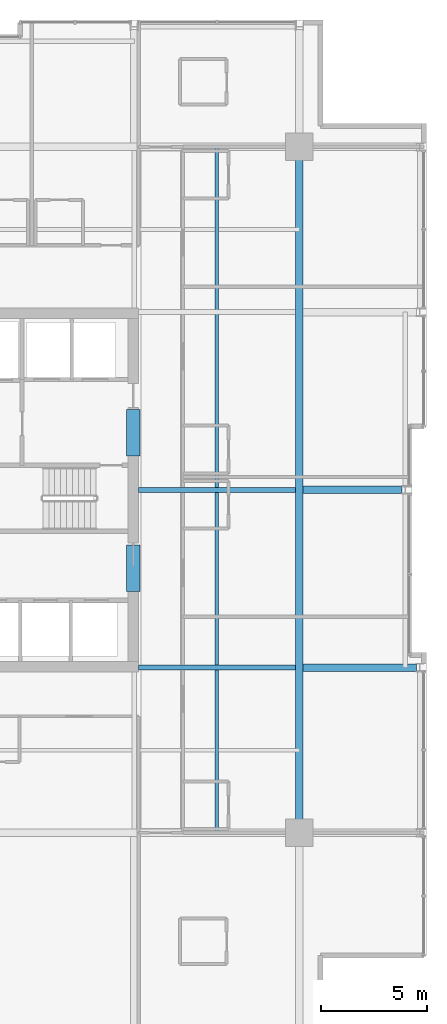
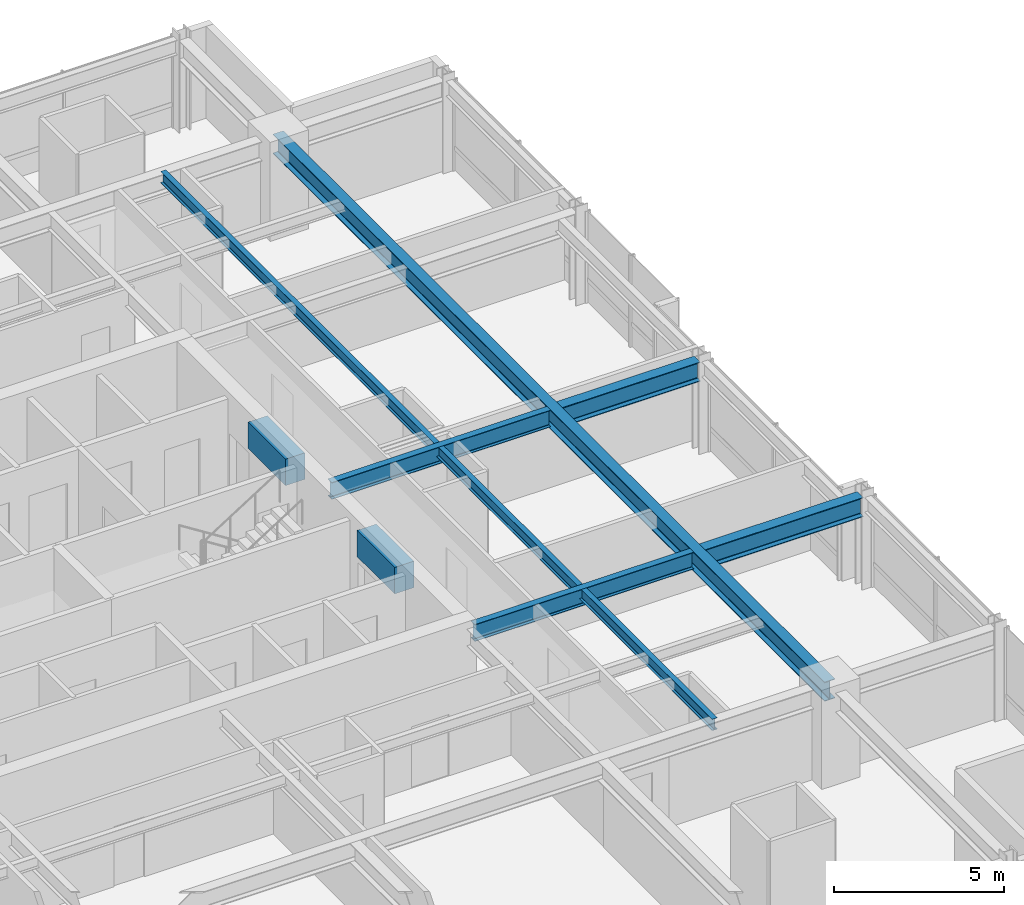
# One storey, part 14 of 32: 8 beams.
"""IFC4 building model written with IfcOpenShell, lengths in metres."""

import ifcopenshell
import ifcopenshell.guid

model = None  # the IFC model being written
_history = None  # IfcOwnerHistory: only IFC2X3 demands one
_inside = {}  # id of a spatial element -> (the spatial element, [elements in it])
_under = {}  # id of a project, library or spatial element -> (it, [spatial elements below it])
_declared = {}  # id of a project -> (the project, [libraries it declares])
_typed = {}  # id of a type object -> (the type object, [elements of that type])
_made_of = {}  # id of a material, layer set ... -> (it, [elements and type objects made of it])


def new_model(schema):
    """Start an empty IFC model of exactly this schema.

    Asked for "IFC4X3", IfcOpenShell would pick the latest addendum, in which some entities
    have other attributes; the version numbers below select the first issue.
    IFC2X3 requires an IfcOwnerHistory on every rooted entity: one is made here for all.
    """
    global model, _history
    if schema == "IFC4X3":
        model = ifcopenshell.file(schema_version=(4, 3, 0, 0))
    else:
        model = ifcopenshell.file(schema=schema)
    _inside.clear()
    _under.clear()
    _declared.clear()
    _typed.clear()
    _made_of.clear()
    _history = None
    if model.schema == "IFC2X3":
        org = make("IfcOrganization", Name="unknown")
        user = make(
            "IfcPersonAndOrganization",
            ThePerson=make("IfcPerson", FamilyName="unknown"),
            TheOrganization=org,
        )
        app = make(
            "IfcApplication",
            ApplicationDeveloper=org,
            Version="unknown",
            ApplicationFullName="unknown",
            ApplicationIdentifier="unknown",
        )
        _history = make(
            "IfcOwnerHistory",
            OwningUser=user,
            OwningApplication=app,
            ChangeAction="ADDED",
            CreationDate=0,
        )
    return model


def make(cls, **values):
    """One entity of the class cls with the attributes given. An attribute that is None is left unset."""
    return model.create_entity(
        cls, **{name: value for name, value in values.items() if value is not None}
    )


def rooted(cls, **values):
    """An entity with a GlobalId (a new one), such as an element, a storey or a relation."""
    return make(cls, GlobalId=ifcopenshell.guid.new(), OwnerHistory=_history, **values)


def si_unit(unit_type, name, prefix=None):
    """IfcSIUnit, for example si_unit("LENGTHUNIT", "METRE", prefix="MILLI")."""
    return make("IfcSIUnit", UnitType=unit_type, Prefix=prefix, Name=name)


def assignment(units):
    """IfcUnitAssignment: the units of a project."""
    return None if units is None else make("IfcUnitAssignment", Units=units)


def point(xyz):
    """IfcCartesianPoint."""
    return None if xyz is None else make("IfcCartesianPoint", Coordinates=xyz)


def direction(xyz):
    """IfcDirection."""
    return None if xyz is None else make("IfcDirection", DirectionRatios=xyz)


def frame(location, z_axis=None, x_axis=None):
    """IfcAxis2Placement3D, a coordinate frame: its origin and axes. An axis left out is left unset."""
    return make(
        "IfcAxis2Placement3D",
        Location=point(location),
        Axis=direction(z_axis),
        RefDirection=direction(x_axis),
    )


def frame_2d(location, x_axis=None):
    """IfcAxis2Placement2D, a coordinate frame in the plane: its origin and x axis."""
    return make(
        "IfcAxis2Placement2D", Location=point(location), RefDirection=direction(x_axis)
    )


def origin():
    """The frame at (0, 0, 0) with its axes left unset."""
    return frame((0.0, 0.0, 0.0))


def origin_2d():
    """The frame at (0, 0) in the plane with its x axis left unset."""
    return frame_2d((0.0, 0.0))


def place(relative_to, where):
    """IfcLocalPlacement: puts the frame where relative to a parent placement (None: the world)."""
    return make(
        "IfcLocalPlacement", PlacementRelTo=relative_to, RelativePlacement=where
    )


def context(
    kind, dimensions, precision=None, world=None, true_north=None, identifier=None
):
    """IfcGeometricRepresentationContext, for example the 3D "Model" context."""
    return make(
        "IfcGeometricRepresentationContext",
        ContextIdentifier=identifier,
        ContextType=kind,
        CoordinateSpaceDimension=dimensions,
        Precision=precision,
        WorldCoordinateSystem=world,
        TrueNorth=true_north,
    )


def subcontext(parent, identifier, kind, view, scale=None):
    """IfcGeometricRepresentationSubContext, for example "Body" below "Model"."""
    return make(
        "IfcGeometricRepresentationSubContext",
        ContextIdentifier=identifier,
        ContextType=kind,
        ParentContext=parent,
        TargetScale=scale,
        TargetView=view,
    )


def project(units=None, contexts=None):
    """IfcProject with its units and contexts."""
    return rooted(
        "IfcProject",
        Name="project",
        RepresentationContexts=contexts,
        UnitsInContext=assignment(units),
    )


def spatial(cls, under=None, at=None, **own):
    """A site, building, storey or space (cls), placed at a placement, below another one or the project."""
    s = rooted(cls, ObjectPlacement=at, **own)
    if under is not None:
        _under.setdefault(under.id(), (under, []))[1].append(s)
    return s


def profile(cls, at=None, kind="AREA", **sizes):
    """A parametric profile (cls). Its sizes go by their IFC names, for example OverallWidth=200.0."""
    return make(cls, ProfileType=kind, Position=at, **sizes)


def rectangle(**sizes):
    """IfcRectangleProfileDef."""
    return profile("IfcRectangleProfileDef", **sizes)


def i_section(**sizes):
    """IfcIShapeProfileDef."""
    return profile("IfcIShapeProfileDef", **sizes)


def extrude(swept, where, along, depth):
    """IfcExtrudedAreaSolid: the profile swept, set in the frame where, extruded along a direction by depth."""
    return make(
        "IfcExtrudedAreaSolid",
        SweptArea=swept,
        Position=where,
        ExtrudedDirection=direction(along),
        Depth=depth,
    )


def shape(context_of_items, identifier, shape_type, items):
    """IfcShapeRepresentation: the items that make up one representation, for example the "Body"."""
    return make(
        "IfcShapeRepresentation",
        ContextOfItems=context_of_items,
        RepresentationIdentifier=identifier,
        RepresentationType=shape_type,
        Items=items,
    )


def material(Name=None, Category=None):
    """IfcMaterial."""
    return make("IfcMaterial", Name=Name, Category=Category)


def material_profile(
    of_material, cross_section, Name=None, Category=None, Priority=None
):
    """IfcMaterialProfile: a cross section and its material."""
    return make(
        "IfcMaterialProfile",
        Name=Name,
        Material=of_material,
        Profile=cross_section,
        Priority=Priority,
        Category=Category,
    )


def profile_set(profiles, Name=None, composite=None):
    """IfcMaterialProfileSet."""
    return make(
        "IfcMaterialProfileSet",
        Name=Name,
        MaterialProfiles=profiles,
        CompositeProfile=composite,
    )


def made_of(thing, what):
    """Note that an element or type object is made of a material, layer set ...; save() writes the relation."""
    if what is not None:
        _made_of.setdefault(what.id(), (what, []))[1].append(thing)
    return thing


def type_object(cls, material=None, **own):
    """A type object (cls), such as IfcWallType, which elements share."""
    return made_of(rooted(cls, **own), material)


def element(
    cls,
    number,
    at=None,
    inside=None,
    cuts=None,
    type_object=None,
    material=None,
    context=None,
    identifier="Body",
    shape_type=None,
    held_by="IfcProductDefinitionShape",
    body=None,
    shapes=None,
    **own,
):
    """One element of the class cls, such as IfcWall. Its Tag is "e" and its number.

    at: its placement. inside: the storey or other place that contains it. cuts: it is an
    opening in that element (IfcRelVoidsElement). A single representation is given by context,
    identifier, shape_type and body (its items); several are given by shapes. held_by: the class
    of the entity that holds the representations. save() writes the other relations.
    """
    e = rooted(cls, Tag="e%d" % number, ObjectPlacement=at, **own)
    if body is not None:
        shapes = [shape(context, identifier, shape_type, body)]
    if shapes is not None:
        e.Representation = make(held_by, Representations=shapes)
    if inside is not None:
        _inside.setdefault(inside.id(), (inside, []))[1].append(e)
    if cuts is not None:
        rooted(
            "IfcRelVoidsElement", RelatingBuildingElement=cuts, RelatedOpeningElement=e
        )
    if type_object is not None:
        _typed.setdefault(type_object.id(), (type_object, []))[1].append(e)
    return made_of(e, material)


def aggregate(whole, parts):
    """IfcRelAggregates: a whole, such as a stair, and the parts it consists of."""
    return rooted("IfcRelAggregates", RelatingObject=whole, RelatedObjects=parts)


def save(model, path):
    """Write the relations noted so far, then the file.

    IfcRelAggregates (storeys below a building ...), IfcRelContainedInSpatialStructure (elements
    in a storey), IfcRelDefinesByType, IfcRelAssociatesMaterial and IfcRelDeclares: one each for
    every whole, place, type object, material and project.
    """
    for whole, parts in _under.values():
        aggregate(whole, parts)
    for where, things in _inside.values():
        rooted(
            "IfcRelContainedInSpatialStructure",
            RelatedElements=things,
            RelatingStructure=where,
        )
    for kind, things in _typed.values():
        rooted("IfcRelDefinesByType", RelatedObjects=things, RelatingType=kind)
    for what, things in _made_of.values():
        rooted("IfcRelAssociatesMaterial", RelatedObjects=things, RelatingMaterial=what)
    for by, libraries in _declared.values():
        rooted("IfcRelDeclares", RelatingContext=by, RelatedDefinitions=libraries)
    model.write(path)


model = new_model("IFC4")

# Units and contexts
model_context = context("Model", 3, precision=1e-05, world=origin(), true_north=direction((0.0, 1.0)))
body_context = subcontext(model_context, "Body", "Model", "MODEL_VIEW")
ifc_project = project(units=[si_unit("LENGTHUNIT", "METRE"), si_unit("AREAUNIT", "SQUARE_METRE"), si_unit("VOLUMEUNIT", "CUBIC_METRE"), si_unit("PLANEANGLEUNIT", "RADIAN"), si_unit("MASSUNIT", "GRAM", prefix="KILO")], contexts=[model_context])

# Site, building, storey
site_placement = place(None, origin())
site = spatial("IfcSite", under=ifc_project, at=site_placement, CompositionType="ELEMENT")
building_placement = place(site_placement, origin())
building = spatial("IfcBuilding", under=site, at=building_placement, Name="Drelvath Grand Hotel", CompositionType="ELEMENT")
storey_placement = place(building_placement, frame((0.0, 0.0, 189.449951171875)))
storey = spatial("IfcBuildingStorey", under=building, at=storey_placement, Name="L49", CompositionType="ELEMENT", Elevation=189.449951171875)

# Beams
ifc_material_1 = material(Name="Steel ASTM A992 Gr 50", Category="steel")
ifc_material_profile_1 = material_profile(ifc_material_1, i_section(OverallWidth=0.177734375, OverallDepth=0.40673828125, WebThickness=0.0078125, FlangeThickness=0.0126953125, FilletRadius=0.014892578125, at=origin_2d()), Name="W16X40")
ifc_profile_set_1 = profile_set([ifc_material_profile_1], Name="Steel ASTM A992 Gr 50")
beam_type_1 = type_object("IfcBeamType", Name="Composite Floor Joist W16X40", PredefinedType="JOIST", material=ifc_profile_set_1)
beam_1_placement = place(storey_placement, frame((12.300048828125, 10.800048828125, 3.086669921875), z_axis=(0.0, 1.0, 0.0), x_axis=(-1.0, 0.0, 0.0)))
element("IfcBeam", 1, at=beam_1_placement, inside=storey, type_object=beam_type_1, Name="L49 Wing Floor Joist J4", PredefinedType="JOIST", context=body_context, shape_type="SweptSolid", body=[
    extrude(i_section(OverallWidth=0.177734375, OverallDepth=0.40673828125, WebThickness=0.0078125, FlangeThickness=0.0126953125, FilletRadius=0.014892578125, at=origin_2d()), origin(), (0.0, 0.0, 1.0), 32.39990234375),
])
ifc_material_2 = material(Name="Concrete f'c 55 MPa", Category="concrete")
ifc_material_profile_2 = material_profile(ifc_material_2, rectangle(XDim=0.64990234375, YDim=0.949951171875, at=origin_2d()), Name="CB650X950")
ifc_profile_set_2 = profile_set([ifc_material_profile_2], Name="Concrete f'c 55 MPa")
beam_type_2 = type_object("IfcBeamType", Name="Core Coupling Lintel CB650X950", PredefinedType="LINTEL", material=ifc_profile_set_2)
for number, where, z_axis, x_axis, name in (
    (2, (8.35009765625, 22.199951171875, 2.81494140625), (0.0, 1.0, 0.0), (-1.0, 0.0, 0.0), "L49 Core Coupling Lintel ES"),
    (3, (8.35009765625, 28.60009765625, 2.81494140625), (0.0, 1.0, 0.0), (-1.0, 0.0, 0.0), "L49 Core Coupling Lintel EN"),
):
    element("IfcBeam", number, at=place(storey_placement, frame(where, z_axis=z_axis, x_axis=x_axis)), inside=storey, type_object=beam_type_2, Name=name, PredefinedType="LINTEL", context=body_context, shape_type="SweptSolid", body=[
        extrude(rectangle(XDim=0.64990234375, YDim=0.949951171875, at=origin_2d()), origin(), (0.0, 0.0, 1.0), 2.199951171875),
    ])
ifc_material_profile_3 = material_profile(ifc_material_1, i_section(OverallWidth=0.228271484375, OverallDepth=0.607666015625, WebThickness=0.01123046875, FlangeThickness=0.017333984375, FilletRadius=0.02001953125, at=origin_2d()), Name="W24X76")
ifc_profile_set_3 = profile_set([ifc_material_profile_3], Name="Steel ASTM A992 Gr 50")
beam_type_3 = type_object("IfcBeamType", Name="Primary Floor Girder W24X76", PredefinedType="BEAM", material=ifc_profile_set_3)
for number, where, z_axis, x_axis, name in (
    (4, (8.60009765625, 18.60009765625, 2.986328125), (1.0, 0.0, 0.0), (0.0, 1.0, 0.0), "L49 East Core Tie D"),
    (5, (8.60009765625, 27.0, 2.986328125), (1.0, 0.0, 0.0), (0.0, 1.0, 0.0), "L49 East Core Tie E"),
):
    element("IfcBeam", number, at=place(storey_placement, frame(where, z_axis=z_axis, x_axis=x_axis)), inside=storey, type_object=beam_type_3, Name=name, PredefinedType="BEAM", context=body_context, shape_type="SweptSolid", body=[
        extrude(i_section(OverallWidth=0.228271484375, OverallDepth=0.607666015625, WebThickness=0.01123046875, FlangeThickness=0.017333984375, FilletRadius=0.02001953125, at=origin_2d()), origin(), (0.0, 0.0, 1.0), 7.422607421875),
    ])
ifc_material_profile_4 = material_profile(ifc_material_1, i_section(OverallWidth=0.354736328125, OverallDepth=0.695556640625, WebThickness=0.015380859375, FlangeThickness=0.025146484375, FilletRadius=0.02392578125, at=origin_2d()), Name="W27X146")
ifc_profile_set_4 = profile_set([ifc_material_profile_4], Name="Steel ASTM A992 Gr 50")
beam_type_4 = type_object("IfcBeamType", Name="Primary Floor Girder W27X146", PredefinedType="BEAM", material=ifc_profile_set_4)
beam_2_placement = place(storey_placement, frame((16.199951171875, 10.800048828125, 2.9423828125), z_axis=(0.0, 1.0, 0.0), x_axis=(-1.0, 0.0, 0.0)))
element("IfcBeam", 6, at=beam_2_placement, inside=storey, type_object=beam_type_4, Name="L49 Mega Ring Girder East", PredefinedType="BEAM", context=body_context, shape_type="SweptSolid", body=[
    extrude(i_section(OverallWidth=0.354736328125, OverallDepth=0.695556640625, WebThickness=0.015380859375, FlangeThickness=0.025146484375, FilletRadius=0.02392578125, at=origin_2d()), origin(), (0.0, 0.0, 1.0), 32.39990234375),
])
beam_3_placement = place(storey_placement, frame((16.37744140625, 18.60009765625, 2.9423828125), z_axis=(1.0, 0.0, 0.0), x_axis=(0.0, 1.0, 0.0)))
element("IfcBeam", 7, at=beam_3_placement, inside=storey, type_object=beam_type_4, Name="L49 East Wing Girder D", PredefinedType="BEAM", context=body_context, shape_type="SweptSolid", body=[
    extrude(i_section(OverallWidth=0.354736328125, OverallDepth=0.695556640625, WebThickness=0.015380859375, FlangeThickness=0.025146484375, FilletRadius=0.02392578125, at=origin_2d()), origin(), (0.0, 0.0, 1.0), 5.362548828125),
])
beam_4_placement = place(storey_placement, frame((16.37744140625, 27.0, 2.9423828125), z_axis=(1.0, 0.0, 0.0), x_axis=(0.0, 1.0, 0.0)))
element("IfcBeam", 8, at=beam_4_placement, inside=storey, type_object=beam_type_4, Name="L49 East Wing Girder E", PredefinedType="BEAM", context=body_context, shape_type="SweptSolid", body=[
    extrude(i_section(OverallWidth=0.354736328125, OverallDepth=0.695556640625, WebThickness=0.015380859375, FlangeThickness=0.025146484375, FilletRadius=0.02392578125, at=origin_2d()), origin(), (0.0, 0.0, 1.0), 4.6826171875),
])

save(model, "model.ifc")
